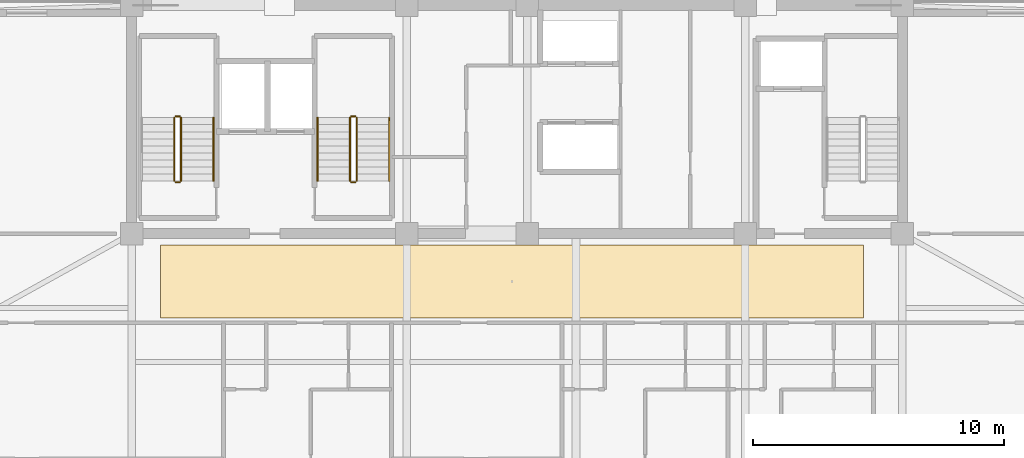
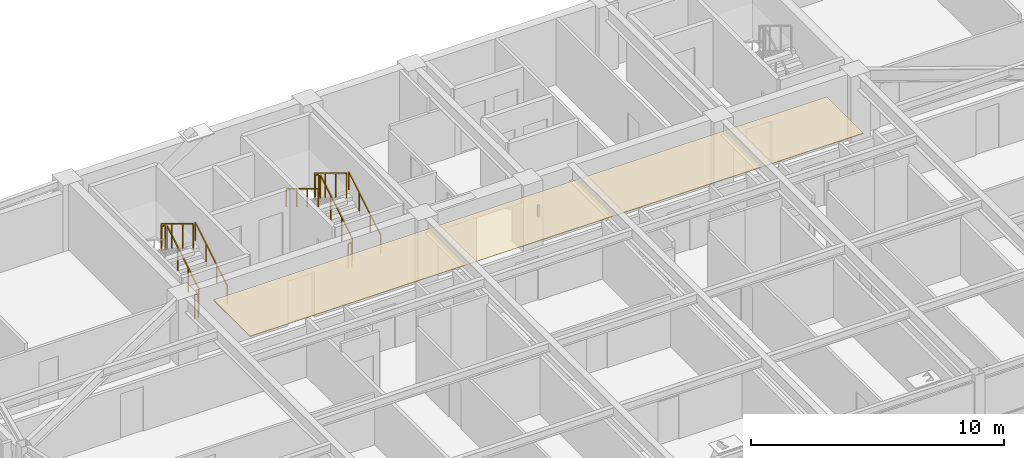
# One storey, part 14 of 17: 11 railings, 1 covering.
"""IFC4 building model written with IfcOpenShell, lengths in metres."""

from ifc_helpers import new_model, si_unit, direction, frame, origin, origin_2d, place, context, subcontext, project, spatial, polyline, rectangle, outline, extrude, material, layer, layer_set, type_object, element, save


model = new_model("IFC4")

# Units and contexts
model_context = context("Model", 3, precision=1e-05, world=origin(), true_north=direction((0.0, 1.0)))
body_context = subcontext(model_context, "Body", "Model", "MODEL_VIEW")
ifc_project = project(units=[si_unit("LENGTHUNIT", "METRE"), si_unit("AREAUNIT", "SQUARE_METRE"), si_unit("VOLUMEUNIT", "CUBIC_METRE"), si_unit("PLANEANGLEUNIT", "RADIAN"), si_unit("MASSUNIT", "GRAM", prefix="KILO")], contexts=[model_context])

# Site, building, storey
site_placement = place(None, origin())
site = spatial("IfcSite", under=ifc_project, at=site_placement, CompositionType="ELEMENT")
building_placement = place(site_placement, origin())
building = spatial("IfcBuilding", under=site, at=building_placement, Name="Giltprow Tower", CompositionType="ELEMENT")
storey_placement = place(building_placement, frame((0.0, 0.0, 268.89990234375)))
storey = spatial("IfcBuildingStorey", under=building, at=storey_placement, Name="L69", CompositionType="ELEMENT", Elevation=268.89990234375)

# Covering
ifc_material_1 = material(Name="Painted gypsum board", Category="gypsum")
ifc_layer = layer(ifc_material_1, 0.030029296875, Name="Painted gypsum board")
ifc_layer_set = layer_set([ifc_layer], Name="Painted gypsum board")
covering_type = type_object("IfcCoveringType", Name="COV-CLG-GYPSUM", PredefinedType="CEILING", material=ifc_layer_set)
covering_placement = place(storey_placement, frame((0.0, 0.0, 2.6201171875)))
element("IfcCovering", 1, at=covering_placement, inside=storey, type_object=covering_type, Name="L69 Residence Gallery Ceiling", PredefinedType="CEILING", context=body_context, shape_type="SweptSolid", body=[
    extrude(outline(polyline([(21.0, 34.10009765625), (49.0, 34.10009765625), (49.0, 37.0), (21.0, 37.0), (21.0, 34.10009765625)])), origin(), (0.0, 0.0, 1.0), 0.030029296875),
])

# Railings
ifc_material_2 = material(Name="Anodized bronze", Category="metal")
railing_type_1 = type_object("IfcRailingType", Name="RAIL-STAIR-GUARD-1200", PredefinedType="GUARDRAIL", material=ifc_material_2)
railing_1_placement = place(storey_placement, frame((21.81005859375, 39.550048828125, 0.170166015625)))
element("IfcRailing", 2, at=railing_1_placement, inside=storey, type_object=railing_type_1, Name="L69 ST-1 stair guard 1", PredefinedType="GUARDRAIL", context=body_context, shape_type="SweptSolid", body=[
    extrude(rectangle(XDim=0.048095703125, YDim=0.048095703125, at=origin_2d()), frame((0.0, 0.0, 1.17578125), z_axis=(0.0, 0.85478489116, 0.518982456201), x_axis=(-1.0, 0.0, 0.0)), (0.0, 0.0, 1.0), 2.9482421875),
    extrude(rectangle(XDim=0.0419921875, YDim=0.0419921875, at=origin_2d()), origin(), (0.0, 0.0, 1.0), 1.15185546875),
    extrude(rectangle(XDim=0.0419921875, YDim=0.0419921875, at=origin_2d()), frame((0.0, 0.840087890625, 0.510009765625)), (0.0, 0.0, 1.0), 1.15185546875),
    extrude(rectangle(XDim=0.0419921875, YDim=0.0419921875, at=origin_2d()), frame((0.0, 1.679931640625, 1.02001953125)), (0.0, 0.0, 1.0), 1.15185546875),
    extrude(rectangle(XDim=0.0419921875, YDim=0.0419921875, at=origin_2d()), frame((0.0, 2.52001953125, 1.530029296875)), (0.0, 0.0, 1.0), 1.15185546875),
])
railing_2_placement = place(storey_placement, frame((21.760009765625, 42.1201171875, 1.7001953125)))
element("IfcRailing", 3, at=railing_2_placement, inside=storey, type_object=railing_type_1, Name="L69 ST-1 stair guard 2", PredefinedType="GUARDRAIL", context=body_context, shape_type="SweptSolid", body=[
    extrude(rectangle(XDim=0.048095703125, YDim=0.048095703125, at=origin_2d()), frame((0.0, 0.0, 1.17578125), z_axis=(-1.0, 0.0, 0.0), x_axis=(0.0, -1.0, 0.0)), (0.0, 0.0, 1.0), 0.159912109375),
    extrude(rectangle(XDim=0.0419921875, YDim=0.0419921875, at=origin_2d()), origin(), (0.0, 0.0, 1.0), 1.15185546875),
    extrude(rectangle(XDim=0.0419921875, YDim=0.0419921875, at=origin_2d()), frame((-0.159912109375, 0.0, 0.0)), (0.0, 0.0, 1.0), 1.15185546875),
])
railing_3_placement = place(storey_placement, frame((21.550048828125, 42.070068359375, 1.8701171875)))
element("IfcRailing", 4, at=railing_3_placement, inside=storey, type_object=railing_type_1, Name="L69 ST-1 stair guard 3", PredefinedType="GUARDRAIL", context=body_context, shape_type="SweptSolid", body=[
    extrude(rectangle(XDim=0.048095703125, YDim=0.048095703125, at=origin_2d()), frame((0.0, 0.0, 1.17578125), z_axis=(0.0, -0.85478489116, 0.518982456201), x_axis=(1.0, 0.0, 0.0)), (0.0, 0.0, 1.0), 2.9482421875),
    extrude(rectangle(XDim=0.0419921875, YDim=0.0419921875, at=origin_2d()), origin(), (0.0, 0.0, 1.0), 1.15185546875),
    extrude(rectangle(XDim=0.0419921875, YDim=0.0419921875, at=origin_2d()), frame((0.0, -0.840087890625, 0.510009765625)), (0.0, 0.0, 1.0), 1.15185546875),
    extrude(rectangle(XDim=0.0419921875, YDim=0.0419921875, at=origin_2d()), frame((0.0, -1.679931640625, 1.02001953125)), (0.0, 0.0, 1.0), 1.15185546875),
    extrude(rectangle(XDim=0.0419921875, YDim=0.0419921875, at=origin_2d()), frame((0.0, -2.52001953125, 1.530029296875)), (0.0, 0.0, 1.0), 1.15185546875),
])
railing_4_placement = place(storey_placement, frame((21.760009765625, 39.5, 0.0)))
element("IfcRailing", 5, at=railing_4_placement, inside=storey, type_object=railing_type_1, Name="L69 ST-1 stair guard 4", PredefinedType="GUARDRAIL", context=body_context, shape_type="SweptSolid", body=[
    extrude(rectangle(XDim=0.048095703125, YDim=0.048095703125, at=origin_2d()), frame((0.0, 0.0, 1.17578125), z_axis=(-1.0, 0.0, 0.0), x_axis=(0.0, -1.0, 0.0)), (0.0, 0.0, 1.0), 0.159912109375),
    extrude(rectangle(XDim=0.0419921875, YDim=0.0419921875, at=origin_2d()), origin(), (0.0, 0.0, 1.0), 1.15185546875),
    extrude(rectangle(XDim=0.0419921875, YDim=0.0419921875, at=origin_2d()), frame((-0.159912109375, 0.0, 0.0)), (0.0, 0.0, 1.0), 1.15185546875),
])
railing_5_placement = place(storey_placement, frame((28.81005859375, 39.550048828125, 0.170166015625)))
element("IfcRailing", 6, at=railing_5_placement, inside=storey, type_object=railing_type_1, Name="L69 ST-2 stair guard 1", PredefinedType="GUARDRAIL", context=body_context, shape_type="SweptSolid", body=[
    extrude(rectangle(XDim=0.048095703125, YDim=0.048095703125, at=origin_2d()), frame((0.0, 0.0, 1.17578125), z_axis=(0.0, 0.85478489116, 0.518982456201), x_axis=(-1.0, 0.0, 0.0)), (0.0, 0.0, 1.0), 2.9482421875),
    extrude(rectangle(XDim=0.0419921875, YDim=0.0419921875, at=origin_2d()), origin(), (0.0, 0.0, 1.0), 1.15185546875),
    extrude(rectangle(XDim=0.0419921875, YDim=0.0419921875, at=origin_2d()), frame((0.0, 0.840087890625, 0.510009765625)), (0.0, 0.0, 1.0), 1.15185546875),
    extrude(rectangle(XDim=0.0419921875, YDim=0.0419921875, at=origin_2d()), frame((0.0, 1.679931640625, 1.02001953125)), (0.0, 0.0, 1.0), 1.15185546875),
    extrude(rectangle(XDim=0.0419921875, YDim=0.0419921875, at=origin_2d()), frame((0.0, 2.52001953125, 1.530029296875)), (0.0, 0.0, 1.0), 1.15185546875),
])
railing_6_placement = place(storey_placement, frame((28.760009765625, 42.1201171875, 1.7001953125)))
element("IfcRailing", 7, at=railing_6_placement, inside=storey, type_object=railing_type_1, Name="L69 ST-2 stair guard 2", PredefinedType="GUARDRAIL", context=body_context, shape_type="SweptSolid", body=[
    extrude(rectangle(XDim=0.048095703125, YDim=0.048095703125, at=origin_2d()), frame((0.0, 0.0, 1.17578125), z_axis=(-1.0, 0.0, 0.0), x_axis=(0.0, -1.0, 0.0)), (0.0, 0.0, 1.0), 0.159912109375),
    extrude(rectangle(XDim=0.0419921875, YDim=0.0419921875, at=origin_2d()), origin(), (0.0, 0.0, 1.0), 1.15185546875),
    extrude(rectangle(XDim=0.0419921875, YDim=0.0419921875, at=origin_2d()), frame((-0.159912109375, 0.0, 0.0)), (0.0, 0.0, 1.0), 1.15185546875),
])
railing_7_placement = place(storey_placement, frame((28.550048828125, 42.070068359375, 1.8701171875)))
element("IfcRailing", 8, at=railing_7_placement, inside=storey, type_object=railing_type_1, Name="L69 ST-2 stair guard 3", PredefinedType="GUARDRAIL", context=body_context, shape_type="SweptSolid", body=[
    extrude(rectangle(XDim=0.048095703125, YDim=0.048095703125, at=origin_2d()), frame((0.0, 0.0, 1.17578125), z_axis=(0.0, -0.85478489116, 0.518982456201), x_axis=(1.0, 0.0, 0.0)), (0.0, 0.0, 1.0), 2.9482421875),
    extrude(rectangle(XDim=0.0419921875, YDim=0.0419921875, at=origin_2d()), origin(), (0.0, 0.0, 1.0), 1.15185546875),
    extrude(rectangle(XDim=0.0419921875, YDim=0.0419921875, at=origin_2d()), frame((0.0, -0.840087890625, 0.510009765625)), (0.0, 0.0, 1.0), 1.15185546875),
    extrude(rectangle(XDim=0.0419921875, YDim=0.0419921875, at=origin_2d()), frame((0.0, -1.679931640625, 1.02001953125)), (0.0, 0.0, 1.0), 1.15185546875),
    extrude(rectangle(XDim=0.0419921875, YDim=0.0419921875, at=origin_2d()), frame((0.0, -2.52001953125, 1.530029296875)), (0.0, 0.0, 1.0), 1.15185546875),
])
railing_8_placement = place(storey_placement, frame((28.760009765625, 39.5, 0.0)))
element("IfcRailing", 9, at=railing_8_placement, inside=storey, type_object=railing_type_1, Name="L69 ST-2 stair guard 4", PredefinedType="GUARDRAIL", context=body_context, shape_type="SweptSolid", body=[
    extrude(rectangle(XDim=0.048095703125, YDim=0.048095703125, at=origin_2d()), frame((0.0, 0.0, 1.17578125), z_axis=(-1.0, 0.0, 0.0), x_axis=(0.0, -1.0, 0.0)), (0.0, 0.0, 1.0), 0.159912109375),
    extrude(rectangle(XDim=0.0419921875, YDim=0.0419921875, at=origin_2d()), origin(), (0.0, 0.0, 1.0), 1.15185546875),
    extrude(rectangle(XDim=0.0419921875, YDim=0.0419921875, at=origin_2d()), frame((-0.159912109375, 0.0, 0.0)), (0.0, 0.0, 1.0), 1.15185546875),
])
railing_type_2 = type_object("IfcRailingType", Name="RAIL-STAIR-HAND-900", PredefinedType="HANDRAIL", material=ifc_material_2)
for number, where, name in (
    (10, (23.110107421875, 39.550048828125, 0.170166015625), "L69 ST-1 stair handrail 1"),
    (11, (30.110107421875, 39.550048828125, 0.170166015625), "L69 ST-2 stair handrail 1"),
):
    element("IfcRailing", number, at=place(storey_placement, frame(where)), inside=storey, type_object=railing_type_2, Name=name, PredefinedType="HANDRAIL", context=body_context, shape_type="SweptSolid", body=[
        extrude(rectangle(XDim=0.048095703125, YDim=0.048095703125, at=origin_2d()), frame((0.0, 0.0, 0.8759765625), z_axis=(0.0, 0.85478489116, 0.518982456201), x_axis=(-1.0, 0.0, 0.0)), (0.0, 0.0, 1.0), 2.9482421875),
        extrude(rectangle(XDim=0.0419921875, YDim=0.0419921875, at=origin_2d()), origin(), (0.0, 0.0, 1.0), 0.851806640625),
        extrude(rectangle(XDim=0.0419921875, YDim=0.0419921875, at=origin_2d()), frame((0.0, 0.840087890625, 0.510009765625)), (0.0, 0.0, 1.0), 0.851806640625),
        extrude(rectangle(XDim=0.0419921875, YDim=0.0419921875, at=origin_2d()), frame((0.0, 1.679931640625, 1.02001953125)), (0.0, 0.0, 1.0), 0.851806640625),
        extrude(rectangle(XDim=0.0419921875, YDim=0.0419921875, at=origin_2d()), frame((0.0, 2.52001953125, 1.530029296875)), (0.0, 0.0, 1.0), 0.851806640625),
    ])
railing_9_placement = place(storey_placement, frame((27.25, 42.070068359375, 1.8701171875)))
element("IfcRailing", 12, at=railing_9_placement, inside=storey, type_object=railing_type_2, Name="L69 ST-2 stair handrail 2", PredefinedType="HANDRAIL", context=body_context, shape_type="SweptSolid", body=[
    extrude(rectangle(XDim=0.048095703125, YDim=0.048095703125, at=origin_2d()), frame((0.0, 0.0, 0.8759765625), z_axis=(0.0, -0.85478489116, 0.518982456201), x_axis=(1.0, 0.0, 0.0)), (0.0, 0.0, 1.0), 2.9482421875),
    extrude(rectangle(XDim=0.0419921875, YDim=0.0419921875, at=origin_2d()), origin(), (0.0, 0.0, 1.0), 0.851806640625),
    extrude(rectangle(XDim=0.0419921875, YDim=0.0419921875, at=origin_2d()), frame((0.0, -0.840087890625, 0.510009765625)), (0.0, 0.0, 1.0), 0.851806640625),
    extrude(rectangle(XDim=0.0419921875, YDim=0.0419921875, at=origin_2d()), frame((0.0, -1.679931640625, 1.02001953125)), (0.0, 0.0, 1.0), 0.851806640625),
    extrude(rectangle(XDim=0.0419921875, YDim=0.0419921875, at=origin_2d()), frame((0.0, -2.52001953125, 1.530029296875)), (0.0, 0.0, 1.0), 0.851806640625),
])

save(model, "model.ifc")
